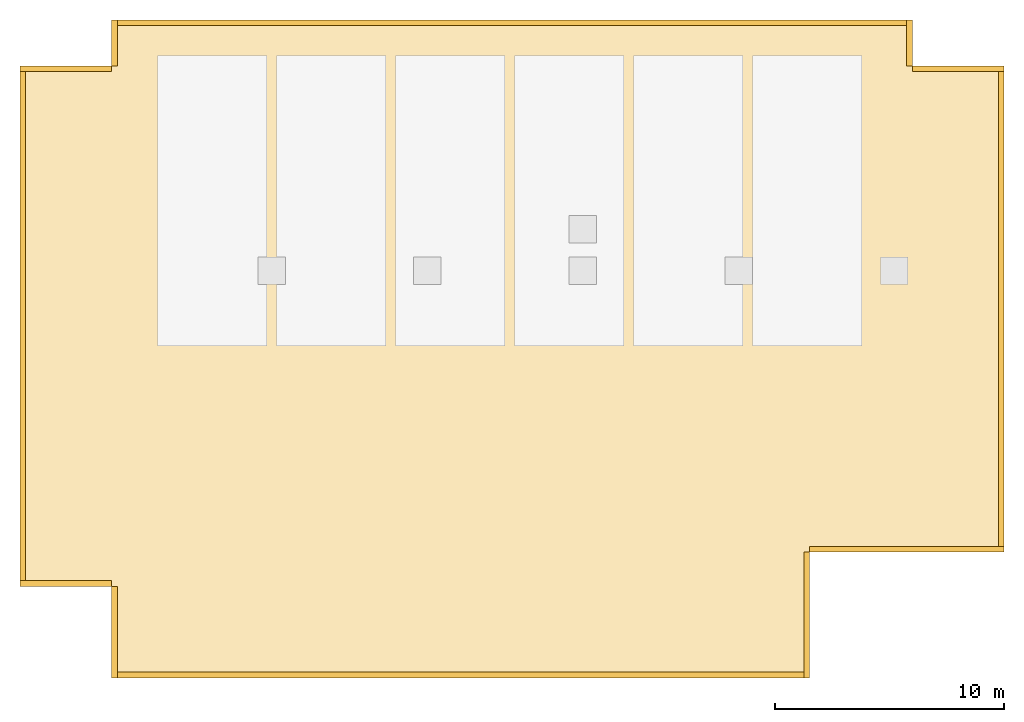
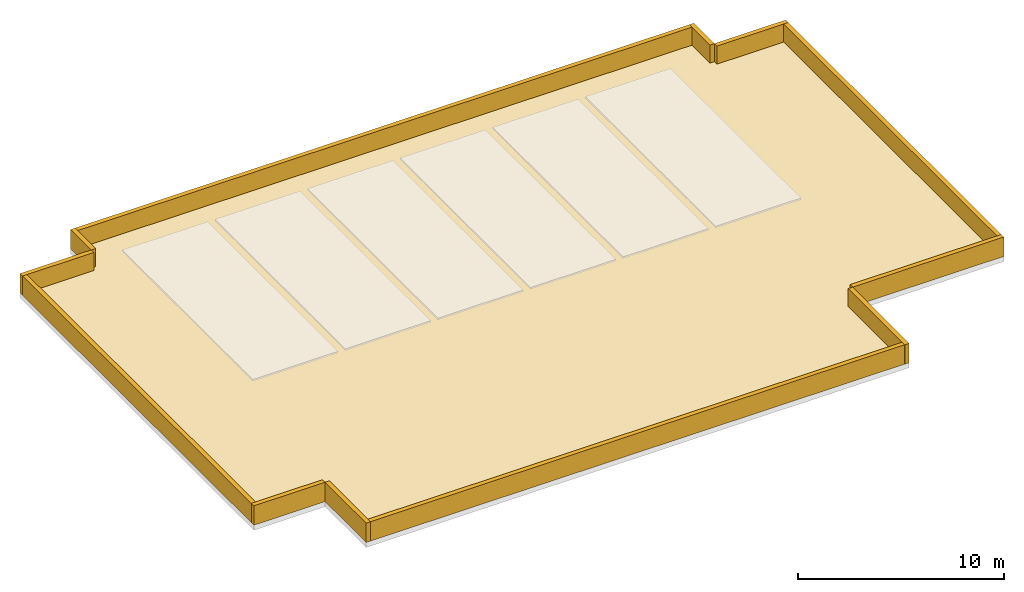
# One storey, part 2 of 2: 13 coverings.
"""IFC4 building model written with IfcOpenShell, lengths in metres."""

import ifcopenshell
import ifcopenshell.guid

model = None  # the IFC model being written
_history = None  # IfcOwnerHistory: only IFC2X3 demands one
_inside = {}  # id of a spatial element -> (the spatial element, [elements in it])
_under = {}  # id of a project, library or spatial element -> (it, [spatial elements below it])
_declared = {}  # id of a project -> (the project, [libraries it declares])
_typed = {}  # id of a type object -> (the type object, [elements of that type])
_made_of = {}  # id of a material, layer set ... -> (it, [elements and type objects made of it])


def new_model(schema):
    """Start an empty IFC model of exactly this schema.

    Asked for "IFC4X3", IfcOpenShell would pick the latest addendum, in which some entities
    have other attributes; the version numbers below select the first issue.
    IFC2X3 requires an IfcOwnerHistory on every rooted entity: one is made here for all.
    """
    global model, _history
    if schema == "IFC4X3":
        model = ifcopenshell.file(schema_version=(4, 3, 0, 0))
    else:
        model = ifcopenshell.file(schema=schema)
    _inside.clear()
    _under.clear()
    _declared.clear()
    _typed.clear()
    _made_of.clear()
    _history = None
    if model.schema == "IFC2X3":
        org = make("IfcOrganization", Name="unknown")
        user = make(
            "IfcPersonAndOrganization",
            ThePerson=make("IfcPerson", FamilyName="unknown"),
            TheOrganization=org,
        )
        app = make(
            "IfcApplication",
            ApplicationDeveloper=org,
            Version="unknown",
            ApplicationFullName="unknown",
            ApplicationIdentifier="unknown",
        )
        _history = make(
            "IfcOwnerHistory",
            OwningUser=user,
            OwningApplication=app,
            ChangeAction="ADDED",
            CreationDate=0,
        )
    return model


def make(cls, **values):
    """One entity of the class cls with the attributes given. An attribute that is None is left unset."""
    return model.create_entity(
        cls, **{name: value for name, value in values.items() if value is not None}
    )


def rooted(cls, **values):
    """An entity with a GlobalId (a new one), such as an element, a storey or a relation."""
    return make(cls, GlobalId=ifcopenshell.guid.new(), OwnerHistory=_history, **values)


def si_unit(unit_type, name, prefix=None):
    """IfcSIUnit, for example si_unit("LENGTHUNIT", "METRE", prefix="MILLI")."""
    return make("IfcSIUnit", UnitType=unit_type, Prefix=prefix, Name=name)


def derived_unit(unit_type, elements):
    """IfcDerivedUnit: a product of units, each with its exponent."""
    return make(
        "IfcDerivedUnit",
        Elements=[
            make("IfcDerivedUnitElement", Unit=unit, Exponent=power)
            for unit, power in elements
        ],
        UnitType=unit_type,
    )


def assignment(units):
    """IfcUnitAssignment: the units of a project."""
    return None if units is None else make("IfcUnitAssignment", Units=units)


def point(xyz):
    """IfcCartesianPoint."""
    return None if xyz is None else make("IfcCartesianPoint", Coordinates=xyz)


def direction(xyz):
    """IfcDirection."""
    return None if xyz is None else make("IfcDirection", DirectionRatios=xyz)


def frame(location, z_axis=None, x_axis=None):
    """IfcAxis2Placement3D, a coordinate frame: its origin and axes. An axis left out is left unset."""
    return make(
        "IfcAxis2Placement3D",
        Location=point(location),
        Axis=direction(z_axis),
        RefDirection=direction(x_axis),
    )


def frame_2d(location, x_axis=None):
    """IfcAxis2Placement2D, a coordinate frame in the plane: its origin and x axis."""
    return make(
        "IfcAxis2Placement2D", Location=point(location), RefDirection=direction(x_axis)
    )


def origin():
    """The frame at (0, 0, 0) with its axes left unset."""
    return frame((0.0, 0.0, 0.0))


def origin_2d():
    """The frame at (0, 0) in the plane with its x axis left unset."""
    return frame_2d((0.0, 0.0))


def place(relative_to, where):
    """IfcLocalPlacement: puts the frame where relative to a parent placement (None: the world)."""
    return make(
        "IfcLocalPlacement", PlacementRelTo=relative_to, RelativePlacement=where
    )


def context(
    kind, dimensions, precision=None, world=None, true_north=None, identifier=None
):
    """IfcGeometricRepresentationContext, for example the 3D "Model" context."""
    return make(
        "IfcGeometricRepresentationContext",
        ContextIdentifier=identifier,
        ContextType=kind,
        CoordinateSpaceDimension=dimensions,
        Precision=precision,
        WorldCoordinateSystem=world,
        TrueNorth=true_north,
    )


def subcontext(parent, identifier, kind, view, scale=None):
    """IfcGeometricRepresentationSubContext, for example "Body" below "Model"."""
    return make(
        "IfcGeometricRepresentationSubContext",
        ContextIdentifier=identifier,
        ContextType=kind,
        ParentContext=parent,
        TargetScale=scale,
        TargetView=view,
    )


def project(units=None, contexts=None):
    """IfcProject with its units and contexts."""
    return rooted(
        "IfcProject",
        Name="project",
        RepresentationContexts=contexts,
        UnitsInContext=assignment(units),
    )


def spatial(cls, under=None, at=None, **own):
    """A site, building, storey or space (cls), placed at a placement, below another one or the project."""
    s = rooted(cls, ObjectPlacement=at, **own)
    if under is not None:
        _under.setdefault(under.id(), (under, []))[1].append(s)
    return s


def polyline(points):
    """IfcPolyline through the points."""
    return make("IfcPolyline", Points=[point(p) for p in points])


def profile(cls, at=None, kind="AREA", **sizes):
    """A parametric profile (cls). Its sizes go by their IFC names, for example OverallWidth=200.0."""
    return make(cls, ProfileType=kind, Position=at, **sizes)


def rectangle(**sizes):
    """IfcRectangleProfileDef."""
    return profile("IfcRectangleProfileDef", **sizes)


def outline(outer, holes=None, kind="AREA"):
    """IfcArbitraryClosedProfileDef: a profile drawn as a closed curve; with holes, ...WithVoids."""
    if holes is None:
        return make("IfcArbitraryClosedProfileDef", ProfileType=kind, OuterCurve=outer)
    return make(
        "IfcArbitraryProfileDefWithVoids",
        ProfileType=kind,
        OuterCurve=outer,
        InnerCurves=holes,
    )


def extrude(swept, where, along, depth):
    """IfcExtrudedAreaSolid: the profile swept, set in the frame where, extruded along a direction by depth."""
    return make(
        "IfcExtrudedAreaSolid",
        SweptArea=swept,
        Position=where,
        ExtrudedDirection=direction(along),
        Depth=depth,
    )


def shape(context_of_items, identifier, shape_type, items):
    """IfcShapeRepresentation: the items that make up one representation, for example the "Body"."""
    return make(
        "IfcShapeRepresentation",
        ContextOfItems=context_of_items,
        RepresentationIdentifier=identifier,
        RepresentationType=shape_type,
        Items=items,
    )


def source(mapping_origin, context_of_items, identifier, shape_type, items):
    """IfcRepresentationMap: a shape defined once, which mapped items show again and again."""
    return make(
        "IfcRepresentationMap",
        MappingOrigin=mapping_origin,
        MappedRepresentation=shape(context_of_items, identifier, shape_type, items),
    )


def transform(
    local_origin,
    x_axis=None,
    y_axis=None,
    z_axis=None,
    scale=None,
    scale2=None,
    scale3=None,
    uniform=True,
):
    """IfcCartesianTransformationOperator3D, or its non-uniform kind. x_axis, y_axis, z_axis: its Axis1, 2, 3."""
    if uniform:
        return make(
            "IfcCartesianTransformationOperator3D",
            Axis1=direction(x_axis),
            Axis2=direction(y_axis),
            LocalOrigin=point(local_origin),
            Scale=scale,
            Axis3=direction(z_axis),
        )
    return make(
        "IfcCartesianTransformationOperator3DnonUniform",
        Axis1=direction(x_axis),
        Axis2=direction(y_axis),
        LocalOrigin=point(local_origin),
        Scale=scale,
        Axis3=direction(z_axis),
        Scale2=scale2,
        Scale3=scale3,
    )


def mapped(mapping_source, mapping_target):
    """IfcMappedItem: shows the shape of a source again, moved by a transform."""
    return make(
        "IfcMappedItem", MappingSource=mapping_source, MappingTarget=mapping_target
    )


def material(Name=None, Category=None):
    """IfcMaterial."""
    return make("IfcMaterial", Name=Name, Category=Category)


def layer(
    of_material, thickness, ventilated=None, Name=None, Category=None, Priority=None
):
    """IfcMaterialLayer: one layer of a wall or slab, of a material (None: an air gap)."""
    return make(
        "IfcMaterialLayer",
        Material=of_material,
        LayerThickness=thickness,
        IsVentilated=ventilated,
        Name=Name,
        Category=Category,
        Priority=Priority,
    )


def layer_set(layers, Name=None):
    """IfcMaterialLayerSet."""
    return make("IfcMaterialLayerSet", MaterialLayers=layers, LayerSetName=Name)


def made_of(thing, what):
    """Note that an element or type object is made of a material, layer set ...; save() writes the relation."""
    if what is not None:
        _made_of.setdefault(what.id(), (what, []))[1].append(thing)
    return thing


def type_object(cls, material=None, **own):
    """A type object (cls), such as IfcWallType, which elements share."""
    return made_of(rooted(cls, **own), material)


def element(
    cls,
    number,
    at=None,
    inside=None,
    cuts=None,
    type_object=None,
    material=None,
    context=None,
    identifier="Body",
    shape_type=None,
    held_by="IfcProductDefinitionShape",
    body=None,
    shapes=None,
    **own,
):
    """One element of the class cls, such as IfcWall. Its Tag is "e" and its number.

    at: its placement. inside: the storey or other place that contains it. cuts: it is an
    opening in that element (IfcRelVoidsElement). A single representation is given by context,
    identifier, shape_type and body (its items); several are given by shapes. held_by: the class
    of the entity that holds the representations. save() writes the other relations.
    """
    e = rooted(cls, Tag="e%d" % number, ObjectPlacement=at, **own)
    if body is not None:
        shapes = [shape(context, identifier, shape_type, body)]
    if shapes is not None:
        e.Representation = make(held_by, Representations=shapes)
    if inside is not None:
        _inside.setdefault(inside.id(), (inside, []))[1].append(e)
    if cuts is not None:
        rooted(
            "IfcRelVoidsElement", RelatingBuildingElement=cuts, RelatedOpeningElement=e
        )
    if type_object is not None:
        _typed.setdefault(type_object.id(), (type_object, []))[1].append(e)
    return made_of(e, material)


def aggregate(whole, parts):
    """IfcRelAggregates: a whole, such as a stair, and the parts it consists of."""
    return rooted("IfcRelAggregates", RelatingObject=whole, RelatedObjects=parts)


def save(model, path):
    """Write the relations noted so far, then the file.

    IfcRelAggregates (storeys below a building ...), IfcRelContainedInSpatialStructure (elements
    in a storey), IfcRelDefinesByType, IfcRelAssociatesMaterial and IfcRelDeclares: one each for
    every whole, place, type object, material and project.
    """
    for whole, parts in _under.values():
        aggregate(whole, parts)
    for where, things in _inside.values():
        rooted(
            "IfcRelContainedInSpatialStructure",
            RelatedElements=things,
            RelatingStructure=where,
        )
    for kind, things in _typed.values():
        rooted("IfcRelDefinesByType", RelatedObjects=things, RelatingType=kind)
    for what, things in _made_of.values():
        rooted("IfcRelAssociatesMaterial", RelatedObjects=things, RelatingMaterial=what)
    for by, libraries in _declared.values():
        rooted("IfcRelDeclares", RelatingContext=by, RelatedDefinitions=libraries)
    model.write(path)


model = new_model("IFC4")

# Units and contexts
model_context = context("Model", 3, precision=1e-05, world=origin(), true_north=direction((0.0, 1.0)))
body_context = subcontext(model_context, "Body", "Model", "MODEL_VIEW")
ifc_project = project(units=[si_unit("LENGTHUNIT", "METRE"), si_unit("AREAUNIT", "SQUARE_METRE"), si_unit("VOLUMEUNIT", "CUBIC_METRE"), si_unit("PLANEANGLEUNIT", "RADIAN"), si_unit("MASSUNIT", "GRAM", prefix="KILO"), derived_unit("THERMALTRANSMITTANCEUNIT", [(si_unit("POWERUNIT", "WATT"), 1), (si_unit("LENGTHUNIT", "METRE"), -2), (si_unit("THERMODYNAMICTEMPERATUREUNIT", "KELVIN"), -1)])], contexts=[model_context])

# Site, building, storey
site_placement = place(None, origin())
site = spatial("IfcSite", under=ifc_project, at=site_placement, CompositionType="ELEMENT")
building_placement = place(site_placement, origin())
building = spatial("IfcBuilding", under=site, at=building_placement, Name="Skarnbrae Concourse Arena and Tower", CompositionType="ELEMENT")
storey_placement = place(building_placement, frame((0.0, 0.0, 315.050048828125)))
storey = spatial("IfcBuildingStorey", under=building, at=storey_placement, Name="RF", CompositionType="ELEMENT", Elevation=315.050048828125)

# Coverings
ifc_material_1 = material(Name="EPDM weatherproofing roofing membrane", Category="other")
ifc_layer_1 = layer(ifc_material_1, 0.080078125)
ifc_layer_set_1 = layer_set([ifc_layer_1], Name="EPDM weatherproofing roofing membrane")
covering_type_1 = type_object("IfcCoveringType", Name="COV-ROOF-EPDM-80", PredefinedType="ROOFING", material=ifc_layer_set_1)
covering_1_placement = place(storey_placement, origin())
element("IfcCovering", 1, at=covering_1_placement, inside=storey, type_object=covering_type_1, Name="RF Crown EPDM weatherproofing roof membrane", PredefinedType="ROOFING", context=body_context, shape_type="SweptSolid", body=[
    extrude(outline(polyline([(4.0, 0.0), (34.5, 0.0), (34.5, 5.5), (43.0, 5.5), (43.0, 26.75), (39.0, 26.75), (39.0, 28.75), (4.0, 28.75), (4.0, 26.75), (0.0, 26.75), (0.0, 4.0), (4.0, 4.0), (4.0, 0.0)])), origin(), (0.0, 0.0, 1.0), 0.079833984375),
])
ifc_material_2 = material(Name="Bronze anodised aluminium 6063-T6", Category="aluminium")
ifc_layer_2 = layer(ifc_material_2, 0.06005859375)
ifc_layer_set_2 = layer_set([ifc_layer_2], Name="Bronze anodised aluminium 6063-T6")
covering_type_2 = type_object("IfcCoveringType", Name="COV-CLAD-BRONZE-60", PredefinedType="CLADDING", material=ifc_layer_set_2)
shared_shape_1 = source(origin(), body_context, "Body", "SweptSolid", [
    extrude(rectangle(XDim=30.5, YDim=0.25, at=origin_2d()), origin(), (0.0, 0.0, 1.0), 1.14990234375),
])
covering_2_placement = place(storey_placement, frame((19.25, 0.125, 0.0), z_axis=(0.0, 0.0, 1.0), x_axis=(1.0, 0.0, 0.0)))
element("IfcCovering", 2, at=covering_2_placement, inside=storey, type_object=covering_type_2, Name="RF Crown roof parapet coping assembly 01", PredefinedType="CLADDING", context=body_context, shape_type="MappedRepresentation", body=[
    mapped(shared_shape_1, transform((0.0, 0.0, 0.0))),
])
shared_shape_2 = source(origin(), body_context, "Body", "SweptSolid", [
    extrude(rectangle(XDim=5.5, YDim=0.25, at=origin_2d()), origin(), (0.0, 0.0, 1.0), 1.14990234375),
])
covering_3_placement = place(storey_placement, frame((34.375, 2.75, 0.0), z_axis=(0.0, 0.0, 1.0), x_axis=(0.0, 1.0, 0.0)))
element("IfcCovering", 3, at=covering_3_placement, inside=storey, type_object=covering_type_2, Name="RF Crown roof parapet coping assembly 02", PredefinedType="CLADDING", context=body_context, shape_type="MappedRepresentation", body=[
    mapped(shared_shape_2, transform((0.0, 0.0, 0.0))),
])
shared_shape_3 = source(origin(), body_context, "Body", "SweptSolid", [
    extrude(rectangle(XDim=8.5, YDim=0.25, at=origin_2d()), origin(), (0.0, 0.0, 1.0), 1.14990234375),
])
covering_4_placement = place(storey_placement, frame((38.75, 5.625, 0.0), z_axis=(0.0, 0.0, 1.0), x_axis=(1.0, 0.0, 0.0)))
element("IfcCovering", 4, at=covering_4_placement, inside=storey, type_object=covering_type_2, Name="RF Crown roof parapet coping assembly 03", PredefinedType="CLADDING", context=body_context, shape_type="MappedRepresentation", body=[
    mapped(shared_shape_3, transform((0.0, 0.0, 0.0))),
])
shared_shape_4 = source(origin(), body_context, "Body", "SweptSolid", [
    extrude(rectangle(XDim=21.25, YDim=0.25, at=origin_2d()), origin(), (0.0, 0.0, 1.0), 1.14990234375),
])
covering_5_placement = place(storey_placement, frame((42.875, 16.125, 0.0), z_axis=(0.0, 0.0, 1.0), x_axis=(0.0, 1.0, 0.0)))
element("IfcCovering", 5, at=covering_5_placement, inside=storey, type_object=covering_type_2, Name="RF Crown roof parapet coping assembly 04", PredefinedType="CLADDING", context=body_context, shape_type="MappedRepresentation", body=[
    mapped(shared_shape_4, transform((0.0, 0.0, 0.0))),
])
shared_shape_5 = source(origin(), body_context, "Body", "SweptSolid", [
    extrude(rectangle(XDim=4.0, YDim=0.25, at=origin_2d()), origin(), (0.0, 0.0, 1.0), 1.14990234375),
])
for number, where, z_axis, x_axis, name in (
    (6, (41.0, 26.625, 0.0), (0.0, 0.0, 1.0), (-1.0, 0.0, 0.0), "RF Crown roof parapet coping assembly 05"),
    (7, (2.0, 26.625, 0.0), (0.0, 0.0, 1.0), (-1.0, 0.0, 0.0), "RF Crown roof parapet coping assembly 09"),
    (8, (2.0, 4.125, 0.0), (0.0, 0.0, 1.0), (1.0, 0.0, 0.0), "RF Crown roof parapet coping assembly 11"),
    (9, (4.125, 2.0, 0.0), (0.0, 0.0, 1.0), (0.0, -1.0, 0.0), "RF Crown roof parapet coping assembly 12"),
):
    element("IfcCovering", number, at=place(storey_placement, frame(where, z_axis=z_axis, x_axis=x_axis)), inside=storey, type_object=covering_type_2, Name=name, PredefinedType="CLADDING", context=body_context, shape_type="MappedRepresentation", body=[
        mapped(shared_shape_5, transform((0.0, 0.0, 0.0))),
    ])
shared_shape_6 = source(origin(), body_context, "Body", "SweptSolid", [
    extrude(rectangle(XDim=2.0, YDim=0.25, at=origin_2d()), origin(), (0.0, 0.0, 1.0), 1.14990234375),
])
for number, where, z_axis, x_axis, name in (
    (10, (38.875, 27.75, 0.0), (0.0, 0.0, 1.0), (0.0, 1.0, 0.0), "RF Crown roof parapet coping assembly 06"),
    (11, (4.125, 27.75, 0.0), (0.0, 0.0, 1.0), (0.0, -1.0, 0.0), "RF Crown roof parapet coping assembly 08"),
):
    element("IfcCovering", number, at=place(storey_placement, frame(where, z_axis=z_axis, x_axis=x_axis)), inside=storey, type_object=covering_type_2, Name=name, PredefinedType="CLADDING", context=body_context, shape_type="MappedRepresentation", body=[
        mapped(shared_shape_6, transform((0.0, 0.0, 0.0))),
    ])
shared_shape_7 = source(origin(), body_context, "Body", "SweptSolid", [
    extrude(rectangle(XDim=35.0, YDim=0.25, at=origin_2d()), origin(), (0.0, 0.0, 1.0), 1.14990234375),
])
covering_6_placement = place(storey_placement, frame((21.5, 28.625, 0.0), z_axis=(0.0, 0.0, 1.0), x_axis=(-1.0, 0.0, 0.0)))
element("IfcCovering", 12, at=covering_6_placement, inside=storey, type_object=covering_type_2, Name="RF Crown roof parapet coping assembly 07", PredefinedType="CLADDING", context=body_context, shape_type="MappedRepresentation", body=[
    mapped(shared_shape_7, transform((0.0, 0.0, 0.0))),
])
shared_shape_8 = source(origin(), body_context, "Body", "SweptSolid", [
    extrude(rectangle(XDim=22.75, YDim=0.25, at=origin_2d()), origin(), (0.0, 0.0, 1.0), 1.14990234375),
])
covering_7_placement = place(storey_placement, frame((0.125, 15.375, 0.0), z_axis=(0.0, 0.0, 1.0), x_axis=(0.0, -1.0, 0.0)))
element("IfcCovering", 13, at=covering_7_placement, inside=storey, type_object=covering_type_2, Name="RF Crown roof parapet coping assembly 10", PredefinedType="CLADDING", context=body_context, shape_type="MappedRepresentation", body=[
    mapped(shared_shape_8, transform((0.0, 0.0, 0.0))),
])

save(model, "model.ifc")
